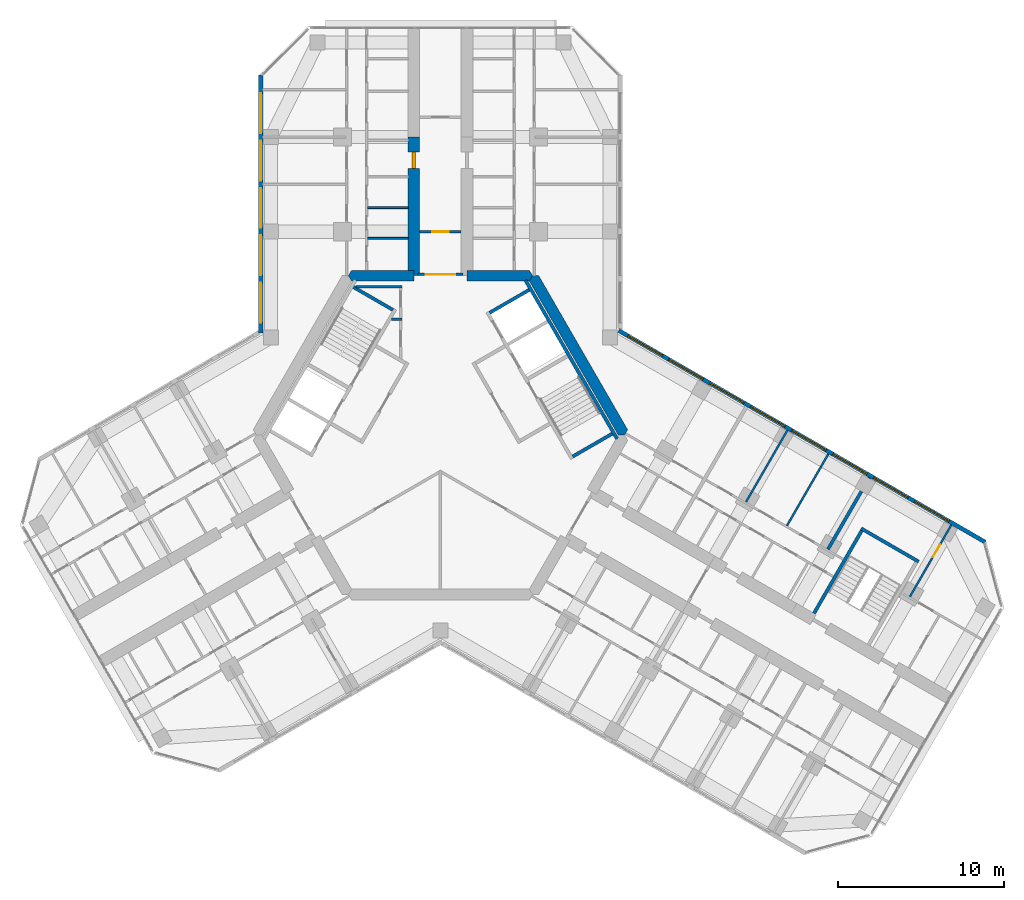
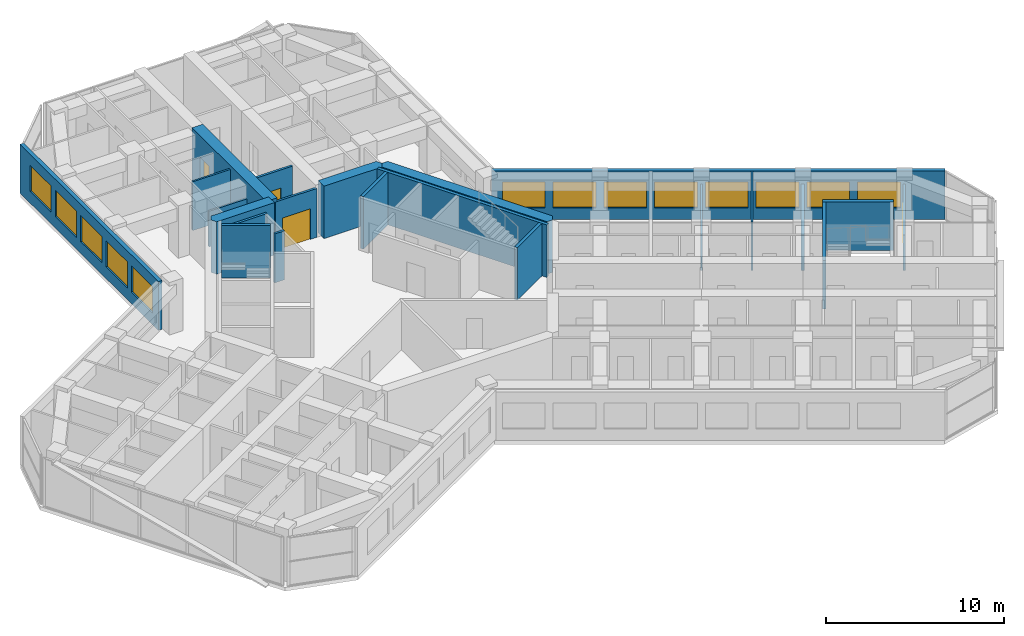
# One storey, part 13 of 16: 22 walls, 13 windows, 4 doors, 17 openings.
"""IFC4 building model written with IfcOpenShell, lengths in metres."""

from ifc_helpers import new_model, si_unit, direction, frame, frame_2d, origin, place, context, subcontext, project, spatial, polyline, rectangle, outline, extrude, material, layer, layer_set, type_object, element, fill, save


model = new_model("IFC4")

# Units and contexts
model_context = context("Model", 3, precision=1e-05, world=origin(), true_north=direction((0.0, 1.0)))
body_context = subcontext(model_context, "Body", "Model", "MODEL_VIEW")
ifc_project = project(units=[si_unit("LENGTHUNIT", "METRE"), si_unit("AREAUNIT", "SQUARE_METRE"), si_unit("VOLUMEUNIT", "CUBIC_METRE"), si_unit("PLANEANGLEUNIT", "RADIAN"), si_unit("MASSUNIT", "GRAM", prefix="KILO")], contexts=[model_context])

# Site, building, storey
site_placement = place(None, origin())
site = spatial("IfcSite", under=ifc_project, at=site_placement, CompositionType="ELEMENT")
building_placement = place(site_placement, origin())
building = spatial("IfcBuilding", under=site, at=building_placement, Name="Kosmar Iwan School Tower", CompositionType="ELEMENT")
storey_placement = place(building_placement, frame((0.0, 0.0, 197.39990234375)))
storey = spatial("IfcBuildingStorey", under=building, at=storey_placement, Name="L49", CompositionType="ELEMENT", Elevation=197.39990234375)

# Walls
ifc_material_1 = material(Name="Gypsum board on steel studs, fire-rated", Category="steel")
ifc_layer_1 = layer(ifc_material_1, 0.14990234375)
ifc_layer_set_1 = layer_set([ifc_layer_1], Name="Core room partition 150")
wall_type_1 = type_object("IfcWallType", Name="Core room partition 150", PredefinedType="PARTITIONING", material=ifc_layer_set_1)
wall_1_placement = place(storey_placement, frame((-2.324951171875, 6.985107421875, 0.0), z_axis=(0.0, 0.0, 1.0), x_axis=(-1.0, 0.0, 0.0)))
element("IfcWall", 1, at=wall_1_placement, inside=storey, type_object=wall_type_1, Name="Core room partition L49-CW2", PredefinedType="PARTITIONING", context=body_context, shape_type="SweptSolid", body=[
    extrude(rectangle(XDim=0.623779296875, YDim=0.14990234375, at=frame_2d((0.31201171875, 0.0))), origin(), (0.0, 0.0, 1.0), 3.35009765625),
])
wall_2_placement = place(storey_placement, frame((-5.089599609375, 8.93994140625, 0.0), z_axis=(0.0, 0.0, 1.0), x_axis=(1.0, 0.0, 0.0)))
element("IfcWall", 2, at=wall_2_placement, inside=storey, type_object=wall_type_1, Name="Core room partition L49-CW3", PredefinedType="PARTITIONING", context=body_context, shape_type="SweptSolid", body=[
    extrude(rectangle(XDim=2.7646484375, YDim=0.14990234375, at=frame_2d((1.38232421875, 0.0))), origin(), (0.0, 0.0, 1.0), 3.35009765625),
])
ifc_material_2 = material(Name="Concrete C50/60", Category="concrete")
ifc_layer_2 = layer(ifc_material_2, 0.64990234375)
ifc_layer_set_2 = layer_set([ifc_layer_2], Name="Core wall 650")
wall_type_2 = type_object("IfcWallType", Name="Core wall 650", PredefinedType="SHEAR", material=ifc_layer_set_2)
wall_3_placement = place(storey_placement, origin())
element("IfcWall", 3, at=wall_3_placement, inside=storey, type_object=wall_type_2, Name="Core wall F030", PredefinedType="SHEAR", context=body_context, shape_type="SweptSolid", body=[
    extrude(outline(polyline([(10.7099609375, 0.0), (11.085205078125, 0.0), (11.272705078125, 0.324951171875), (5.917724609375, 9.60009765625), (5.54248046875, 9.60009765625), (5.35498046875, 9.27490234375), (10.7099609375, 0.0)])), origin(), (0.0, 0.0, 1.0), 3.60009765625),
])
wall_4_placement = place(storey_placement, origin())
element("IfcWall", 4, at=wall_4_placement, inside=storey, type_object=wall_type_2, Name="Core wall F090a", PredefinedType="SHEAR", context=body_context, shape_type="SweptSolid", body=[
    extrude(outline(polyline([(1.60009765625, 9.27490234375), (5.35498046875, 9.27490234375), (5.54248046875, 9.60009765625), (5.35498046875, 9.925048828125), (1.60009765625, 9.925048828125), (1.60009765625, 9.27490234375)])), origin(), (0.0, 0.0, 1.0), 3.60009765625),
])
wall_5_placement = place(storey_placement, origin())
element("IfcWall", 5, at=wall_5_placement, inside=storey, type_object=wall_type_2, Name="Core wall F090b", PredefinedType="SHEAR", context=body_context, shape_type="SweptSolid", body=[
    extrude(outline(polyline([(-5.35498046875, 9.27490234375), (-1.60009765625, 9.27490234375), (-1.60009765625, 9.925048828125), (-5.35498046875, 9.925048828125), (-5.54248046875, 9.60009765625), (-5.35498046875, 9.27490234375)])), origin(), (0.0, 0.0, 1.0), 3.60009765625),
])

# Wall, opening, door
ifc_material_3 = material(Name="Concrete C50/60", Category="concrete")
ifc_layer_3 = layer(ifc_material_3, 0.699951171875)
ifc_layer_set_3 = layer_set([ifc_layer_3], Name="Corridor buttress wall 700")
wall_type_3 = type_object("IfcWallType", Name="Corridor buttress wall 700", PredefinedType="SHEAR", material=ifc_layer_set_3)
wall_6_placement = place(storey_placement, frame((-1.60009765625, 9.60009765625, 0.0), z_axis=(0.0, 0.0, 1.0), x_axis=(0.0, 1.0, 0.0)))
wall_6 = element("IfcWall", 6, at=wall_6_placement, inside=storey, type_object=wall_type_3, Name="Corridor wall AL", PredefinedType="SHEAR", context=body_context, shape_type="SweptSolid", body=[
    extrude(rectangle(XDim=8.349853515625, YDim=0.699951171875, at=frame_2d((4.1748046875, 0.0))), origin(), (0.0, 0.0, 1.0), 3.60009765625),
])
opening_1_placement = place(wall_6_placement, frame((6.449951171875, 0.0, 0.0)))
opening_1 = element("IfcOpeningElement", 7, at=opening_1_placement, cuts=wall_6, Name="Opening D1", PredefinedType="OPENING", context=body_context, shape_type="SweptSolid", body=[
    extrude(rectangle(XDim=1.0, YDim=2.10009765625, at=frame_2d((0.5, 1.050048828125))), frame((0.0, 0.362060546875, 0.0), z_axis=(0.0, -1.0, 0.0), x_axis=(1.0, 0.0, 0.0)), (0.0, 0.0, 1.0), 0.723876953125),
])
ifc_material_4 = material(Name="Timber fire door in steel frame", Category="steel")
door_type_1 = type_object("IfcDoorType", Name="Flat entrance door 1000x2100", OperationType="SINGLE_SWING_LEFT", PredefinedType="DOOR", material=ifc_material_4)
door_1_placement = place(opening_1_placement, origin())
door_1 = element("IfcDoor", 8, at=door_1_placement, inside=storey, type_object=door_type_1, Name="Flat L49-AL1 entrance door", OperationType="SINGLE_SWING_LEFT", OverallHeight=2.10009765625, OverallWidth=1.0, PredefinedType="DOOR", context=body_context, shape_type="SweptSolid", body=[
    extrude(rectangle(XDim=1.0, YDim=2.10009765625, at=frame_2d((0.5, 1.050048828125))), frame((0.0, 0.10009765625, 0.0), z_axis=(0.0, -1.0, 0.0), x_axis=(1.0, 0.0, 0.0)), (0.0, 0.0, 1.0), 0.199951171875),
])
fill(opening_1, door_1)

ifc_material_5 = material(Name="Gypsum board on steel studs, fire-rated", Category="steel")
ifc_layer_4 = layer(ifc_material_5, 0.14990234375)
ifc_layer_set_4 = layer_set([ifc_layer_4], Name="Corridor end wall 150")
wall_type_4 = type_object("IfcWallType", Name="Corridor end wall 150", PredefinedType="PARTITIONING", material=ifc_layer_set_4)
wall_7_placement = place(storey_placement, frame((1.25, 12.25, 0.0), z_axis=(0.0, 0.0, 1.0), x_axis=(-1.0, 0.0, 0.0)))
wall_7 = element("IfcWall", 9, at=wall_7_placement, inside=storey, type_object=wall_type_4, Name="Partition L49-A-HW", PredefinedType="PARTITIONING", context=body_context, shape_type="SweptSolid", body=[
    extrude(rectangle(XDim=2.5, YDim=0.14990234375, at=frame_2d((1.25, 0.0))), origin(), (0.0, 0.0, 1.0), 3.35009765625),
])
opening_2_placement = place(wall_7_placement, frame((0.75, 0.0, 0.0)))
opening_2 = element("IfcOpeningElement", 10, at=opening_2_placement, cuts=wall_7, Name="Opening D13", PredefinedType="OPENING", context=body_context, shape_type="SweptSolid", body=[
    extrude(rectangle(XDim=1.0, YDim=2.10009765625, at=frame_2d((0.5, 1.050048828125))), frame((0.0, 0.0869140625, 0.0), z_axis=(0.0, -1.0, 0.0), x_axis=(1.0, 0.0, 0.0)), (0.0, 0.0, 1.0), 0.173828125),
])
ifc_material_6 = material(Name="Timber fire door with vision panel", Category="wood")
door_type_2 = type_object("IfcDoorType", Name="Corridor end door 1000x2100", OperationType="SINGLE_SWING_LEFT", PredefinedType="DOOR", material=ifc_material_6)
door_2_placement = place(opening_2_placement, origin())
door_2 = element("IfcDoor", 11, at=door_2_placement, inside=storey, type_object=door_type_2, Name="Entrance door L49-A", OperationType="SINGLE_SWING_RIGHT", OverallHeight=2.10009765625, OverallWidth=1.0, PredefinedType="DOOR", context=body_context, shape_type="SweptSolid", body=[
    extrude(rectangle(XDim=1.0, YDim=2.10009765625, at=frame_2d((0.5, 1.050048828125))), frame((0.0, 0.02490234375, 0.0), z_axis=(0.0, -1.0, 0.0), x_axis=(1.0, 0.0, 0.0)), (0.0, 0.0, 1.0), 0.050048828125),
])
fill(opening_2, door_2)

ifc_material_7 = material(Name="Steel framed glazed screen", Category="steel")
ifc_layer_5 = layer(ifc_material_7, 0.14990234375)
ifc_layer_set_5 = layer_set([ifc_layer_5], Name="Corridor screen wall 150")
wall_type_5 = type_object("IfcWallType", Name="Corridor screen wall 150", PredefinedType="PARTITIONING", material=ifc_layer_set_5)
wall_8_placement = place(storey_placement, frame((1.35009765625, 9.675048828125, 0.0), z_axis=(0.0, 0.0, 1.0), x_axis=(-1.0, 0.0, 0.0)))
wall_8 = element("IfcWall", 12, at=wall_8_placement, inside=storey, type_object=wall_type_5, Name="Corridor screen A L49", PredefinedType="PARTITIONING", context=body_context, shape_type="SweptSolid", body=[
    extrude(rectangle(XDim=2.7001953125, YDim=0.14990234375, at=frame_2d((1.35009765625, 0.0))), origin(), (0.0, 0.0, 1.0), 3.35009765625),
])
opening_3_placement = place(wall_8_placement, frame((0.449951171875, 0.0, 0.0)))
opening_3 = element("IfcOpeningElement", 13, at=opening_3_placement, cuts=wall_8, Name="Opening D9", PredefinedType="OPENING", context=body_context, shape_type="SweptSolid", body=[
    extrude(rectangle(XDim=1.800048828125, YDim=2.10009765625, at=frame_2d((0.89990234375, 1.050048828125))), frame((0.0, 0.0869140625, 0.0), z_axis=(0.0, -1.0, 0.0), x_axis=(1.0, 0.0, 0.0)), (0.0, 0.0, 1.0), 0.173828125),
])
ifc_material_8 = material(Name="Steel framed glazed smoke door", Category="steel")
door_type_3 = type_object("IfcDoorType", Name="Corridor smoke door pair 1800x2100", OperationType="DOUBLE_DOOR_DOUBLE_SWING", PredefinedType="DOOR", material=ifc_material_8)
door_3_placement = place(opening_3_placement, origin())
door_3 = element("IfcDoor", 14, at=door_3_placement, inside=storey, type_object=door_type_3, Name="Corridor doors A L49", OperationType="DOUBLE_DOOR_DOUBLE_SWING", OverallHeight=2.10009765625, OverallWidth=1.800048828125, PredefinedType="DOOR", context=body_context, shape_type="SweptSolid", body=[
    extrude(rectangle(XDim=1.800048828125, YDim=2.10009765625, at=frame_2d((0.89990234375, 1.050048828125))), frame((0.0, 0.02490234375, 0.0), z_axis=(0.0, -1.0, 0.0), x_axis=(1.0, 0.0, 0.0)), (0.0, 0.0, 1.0), 0.050048828125),
])
fill(opening_3, door_3)

# Walls
ifc_material_9 = material(Name="Gypsum board on steel studs", Category="steel")
ifc_layer_6 = layer(ifc_material_9, 0.1201171875)
ifc_layer_set_6 = layer_set([ifc_layer_6], Name="Dwelling partition 120")
wall_type_6 = type_object("IfcWallType", Name="Dwelling partition 120", PredefinedType="PARTITIONING", material=ifc_layer_set_6)
wall_9_placement = place(storey_placement, frame((-1.949951171875, 11.85009765625, 0.0), z_axis=(0.0, 0.0, 1.0), x_axis=(-1.0, 0.0, 0.0)))
element("IfcWall", 15, at=wall_9_placement, inside=storey, type_object=wall_type_6, Name="Partition L49-AL1-Y1", PredefinedType="PARTITIONING", context=body_context, shape_type="SweptSolid", body=[
    extrude(rectangle(XDim=2.43994140625, YDim=0.1201171875, at=frame_2d((1.219970703125, 0.0))), origin(), (0.0, 0.0, 1.0), 2.4501953125),
])
wall_10_placement = place(storey_placement, frame((-1.949951171875, 13.699951171875, 0.0), z_axis=(0.0, 0.0, 1.0), x_axis=(-1.0, 0.0, 0.0)))
element("IfcWall", 16, at=wall_10_placement, inside=storey, type_object=wall_type_6, Name="Partition L49-AL1-Y2", PredefinedType="PARTITIONING", context=body_context, shape_type="SweptSolid", body=[
    extrude(rectangle(XDim=2.43994140625, YDim=0.1201171875, at=frame_2d((1.219970703125, 0.0))), origin(), (0.0, 0.0, 1.0), 3.35009765625),
])
wall_11_placement = place(storey_placement, frame((18.400146484375, -4.030029296875, 0.0), z_axis=(0.0, 0.0, 1.0), x_axis=(0.500011847778, 0.866018563358, 0.0)))
element("IfcWall", 17, at=wall_11_placement, inside=storey, type_object=wall_type_6, Name="Partition L49-CL2-X1", PredefinedType="PARTITIONING", context=body_context, shape_type="SweptSolid", body=[
    extrude(rectangle(XDim=4.990234375, YDim=0.1201171875, at=frame_2d((2.4951171875, 0.0))), origin(), (0.0, 0.0, 1.0), 2.4501953125),
])
wall_12_placement = place(storey_placement, frame((20.868408203125, -5.455078125, 0.0), z_axis=(0.0, 0.0, 1.0), x_axis=(0.499975153383, 0.86603974851, 0.0)))
element("IfcWall", 18, at=wall_12_placement, inside=storey, type_object=wall_type_6, Name="Partition L49-CL2-X2", PredefinedType="PARTITIONING", context=body_context, shape_type="SweptSolid", body=[
    extrude(rectangle(XDim=4.989990234375, YDim=0.1201171875, at=frame_2d((2.4951171875, 0.0))), origin(), (0.0, 0.0, 1.0), 3.35009765625),
])

# Wall, opening, door
wall_13_placement = place(storey_placement, frame((28.27294921875, -9.72998046875, 0.0), z_axis=(0.0, 0.0, 1.0), x_axis=(0.499975153383, 0.86603974851, 0.0)))
wall_13 = element("IfcWall", 19, at=wall_13_placement, inside=storey, type_object=wall_type_6, Name="Partition L49-CL3-TX", PredefinedType="PARTITIONING", context=body_context, shape_type="SweptSolid", body=[
    extrude(rectangle(XDim=4.989990234375, YDim=0.1201171875, at=frame_2d((2.4951171875, 0.0))), origin(), (0.0, 0.0, 1.0), 2.4501953125),
])
opening_4_placement = place(wall_13_placement, frame((2.739990234375, 0.0, 0.0)))
opening_4 = element("IfcOpeningElement", 20, at=opening_4_placement, cuts=wall_13, Name="Opening D2", PredefinedType="OPENING", context=body_context, shape_type="SweptSolid", body=[
    extrude(rectangle(XDim=0.89990234375, YDim=2.10009765625, at=frame_2d((0.449951171875, 1.050048828125))), frame((0.0, 0.072021484375, 0.0), z_axis=(0.0, -1.0, 0.0), x_axis=(1.0, 0.0, 0.0)), (0.0, 0.0, 1.0), 0.14404296875),
])
ifc_material_10 = material(Name="Timber door in timber frame", Category="wood")
door_type_4 = type_object("IfcDoorType", Name="Internal door 900x2100", OperationType="SINGLE_SWING_LEFT", PredefinedType="DOOR", material=ifc_material_10)
door_4_placement = place(opening_4_placement, origin())
door_4 = element("IfcDoor", 21, at=door_4_placement, inside=storey, type_object=door_type_4, Name="Bedroom 1 door L49-CL3-T1", OperationType="SINGLE_SWING_RIGHT", OverallHeight=2.10009765625, OverallWidth=0.89990234375, PredefinedType="DOOR", context=body_context, shape_type="SweptSolid", body=[
    extrude(rectangle(XDim=0.89990234375, YDim=2.10009765625, at=frame_2d((0.449951171875, 1.050048828125))), frame((0.0, 0.02490234375, 0.0), z_axis=(0.0, -1.0, 0.0), x_axis=(1.0, 0.0, 0.0)), (0.0, 0.0, 1.0), 0.050048828125),
])
fill(opening_4, door_4)

# Walls
ifc_material_11 = material(Name="Concrete C35/45", Category="concrete")
ifc_layer_7 = layer(ifc_material_11, 0.199951171875)
ifc_layer_set_7 = layer_set([ifc_layer_7], Name="Escape stair wall 200")
wall_type_7 = type_object("IfcWallType", Name="Escape stair wall 200", PredefinedType="SHEAR", material=ifc_layer_set_7)
wall_14_placement = place(storey_placement, frame((22.49560546875, -10.736328125, 0.0), z_axis=(0.0, 0.0, 1.0), x_axis=(0.500013701029, 0.866017493347, 0.0)))
element("IfcWall", 22, at=wall_14_placement, inside=storey, type_object=wall_type_7, Name="Stair WS3 wall", PredefinedType="SHEAR", context=body_context, shape_type="SweptSolid", body=[
    extrude(rectangle(XDim=5.949951171875, YDim=0.199951171875, at=frame_2d((2.97509765625, 0.0))), origin(), (0.0, 0.0, 1.0), 3.330078125),
])
wall_15_placement = place(storey_placement, frame((25.334228515625, -5.6201171875, 0.0), z_axis=(0.0, 0.0, 1.0), x_axis=(0.866026010844, -0.49999894854, 0.0)))
element("IfcWall", 23, at=wall_15_placement, inside=storey, type_object=wall_type_7, Name="Stair WS3 wall", PredefinedType="SHEAR", context=body_context, shape_type="SweptSolid", body=[
    extrude(rectangle(XDim=4.0, YDim=0.199951171875, at=frame_2d((2.0, 0.0))), origin(), (0.0, 0.0, 1.0), 3.330078125),
])

# Wall, openings, windows
ifc_material_12 = material(Name="Black aluminium rainscreen on insulated framing", Category="aluminium")
ifc_layer_8 = layer(ifc_material_12, 0.25)
ifc_layer_set_8 = layer_set([ifc_layer_8], Name="External wall rainscreen 250")
wall_type_8 = type_object("IfcWallType", Name="External wall rainscreen 250", PredefinedType="SOLIDWALL", material=ifc_layer_set_8)
wall_16_placement = place(storey_placement, frame((10.73681640625, 6.30078125, 0.0), z_axis=(0.0, 0.0, 1.0), x_axis=(0.866026390279, -0.499998291337, 0.0)))
wall_16 = element("IfcWall", 24, at=wall_16_placement, inside=storey, type_object=wall_type_8, Name="External wall CL L49", PredefinedType="SOLIDWALL", context=body_context, shape_type="SweptSolid", body=[
    extrude(rectangle(XDim=25.4873046875, YDim=0.25, at=frame_2d((12.74365234375, 0.0))), origin(), (0.0, 0.0, 1.0), 3.35009765625),
])
opening_5_placement = place(wall_16_placement, frame((0.626953125, 0.0, 0.800048828125)))
opening_5 = element("IfcOpeningElement", 25, at=opening_5_placement, cuts=wall_16, Name="Opening W5", PredefinedType="OPENING", context=body_context, shape_type="SweptSolid", body=[
    extrude(rectangle(XDim=2.39990234375, YDim=1.800048828125, at=frame_2d((1.199951171875, 0.89990234375))), frame((0.0, 0.136962890625, 0.0), z_axis=(0.0, -1.0, 0.0), x_axis=(1.0, 0.0, 0.0)), (0.0, 0.0, 1.0), 0.27392578125),
])
opening_6_placement = place(wall_16_placement, frame((3.47705078125, 0.0, 0.800048828125)))
opening_6 = element("IfcOpeningElement", 26, at=opening_6_placement, cuts=wall_16, Name="Opening W5", PredefinedType="OPENING", context=body_context, shape_type="SweptSolid", body=[
    extrude(rectangle(XDim=2.39990234375, YDim=1.800048828125, at=frame_2d((1.199951171875, 0.89990234375))), frame((0.0, 0.136962890625, 0.0), z_axis=(0.0, -1.0, 0.0), x_axis=(1.0, 0.0, 0.0)), (0.0, 0.0, 1.0), 0.27392578125),
])
opening_7_placement = place(wall_16_placement, frame((6.326904296875, 0.0, 0.800048828125)))
opening_7 = element("IfcOpeningElement", 27, at=opening_7_placement, cuts=wall_16, Name="Opening W5", PredefinedType="OPENING", context=body_context, shape_type="SweptSolid", body=[
    extrude(rectangle(XDim=2.39990234375, YDim=1.800048828125, at=frame_2d((1.199951171875, 0.89990234375))), frame((0.0, 0.136962890625, 0.0), z_axis=(0.0, -1.0, 0.0), x_axis=(1.0, 0.0, 0.0)), (0.0, 0.0, 1.0), 0.27392578125),
])
opening_8_placement = place(wall_16_placement, frame((9.177001953125, 0.0, 0.800048828125)))
opening_8 = element("IfcOpeningElement", 28, at=opening_8_placement, cuts=wall_16, Name="Opening W5", PredefinedType="OPENING", context=body_context, shape_type="SweptSolid", body=[
    extrude(rectangle(XDim=2.39990234375, YDim=1.800048828125, at=frame_2d((1.199951171875, 0.89990234375))), frame((0.0, 0.136962890625, 0.0), z_axis=(0.0, -1.0, 0.0), x_axis=(1.0, 0.0, 0.0)), (0.0, 0.0, 1.0), 0.27392578125),
])
opening_9_placement = place(wall_16_placement, frame((12.027099609375, 0.0, 0.800048828125)))
opening_9 = element("IfcOpeningElement", 29, at=opening_9_placement, cuts=wall_16, Name="Opening W5", PredefinedType="OPENING", context=body_context, shape_type="SweptSolid", body=[
    extrude(rectangle(XDim=2.39990234375, YDim=1.800048828125, at=frame_2d((1.199951171875, 0.89990234375))), frame((0.0, 0.136962890625, 0.0), z_axis=(0.0, -1.0, 0.0), x_axis=(1.0, 0.0, 0.0)), (0.0, 0.0, 1.0), 0.27392578125),
])
opening_10_placement = place(wall_16_placement, frame((14.876953125, 0.0, 0.800048828125)))
opening_10 = element("IfcOpeningElement", 30, at=opening_10_placement, cuts=wall_16, Name="Opening W5", PredefinedType="OPENING", context=body_context, shape_type="SweptSolid", body=[
    extrude(rectangle(XDim=2.39990234375, YDim=1.800048828125, at=frame_2d((1.199951171875, 0.89990234375))), frame((0.0, 0.136962890625, 0.0), z_axis=(0.0, -1.0, 0.0), x_axis=(1.0, 0.0, 0.0)), (0.0, 0.0, 1.0), 0.27392578125),
])
opening_11_placement = place(wall_16_placement, frame((17.72705078125, 0.0, 0.800048828125)))
opening_11 = element("IfcOpeningElement", 31, at=opening_11_placement, cuts=wall_16, Name="Opening W5", PredefinedType="OPENING", context=body_context, shape_type="SweptSolid", body=[
    extrude(rectangle(XDim=2.39990234375, YDim=1.800048828125, at=frame_2d((1.199951171875, 0.89990234375))), frame((0.0, 0.136962890625, 0.0), z_axis=(0.0, -1.0, 0.0), x_axis=(1.0, 0.0, 0.0)), (0.0, 0.0, 1.0), 0.27392578125),
])
opening_12_placement = place(wall_16_placement, frame((20.576904296875, 0.0, 0.800048828125)))
opening_12 = element("IfcOpeningElement", 32, at=opening_12_placement, cuts=wall_16, Name="Opening W5", PredefinedType="OPENING", context=body_context, shape_type="SweptSolid", body=[
    extrude(rectangle(XDim=2.39990234375, YDim=1.800048828125, at=frame_2d((1.199951171875, 0.89990234375))), frame((0.0, 0.136962890625, 0.0), z_axis=(0.0, -1.0, 0.0), x_axis=(1.0, 0.0, 0.0)), (0.0, 0.0, 1.0), 0.27392578125),
])
ifc_material_13 = material(Name="Black aluminium frame with dark triple glazing", Category="aluminium")
window_type = type_object("IfcWindowType", Name="Window 2400x1800", PartitioningType="SINGLE_PANEL", PredefinedType="WINDOW", material=ifc_material_13)
window_1_placement = place(opening_5_placement, origin())
window_1 = element("IfcWindow", 33, at=window_1_placement, inside=storey, type_object=window_type, Name="Window CL L49 -1", OverallHeight=1.800048828125, OverallWidth=2.39990234375, PartitioningType="SINGLE_PANEL", PredefinedType="WINDOW", context=body_context, shape_type="SweptSolid", body=[
    extrude(rectangle(XDim=2.39990234375, YDim=1.800048828125, at=frame_2d((1.199951171875, 0.89990234375))), frame((0.0, 0.030029296875, 0.0), z_axis=(0.0, -1.0, 0.0), x_axis=(1.0, 0.0, 0.0)), (0.0, 0.0, 1.0), 0.06005859375),
])
fill(opening_5, window_1)
window_2_placement = place(opening_6_placement, origin())
window_2 = element("IfcWindow", 34, at=window_2_placement, inside=storey, type_object=window_type, Name="Window CL L49 0", OverallHeight=1.800048828125, OverallWidth=2.39990234375, PartitioningType="SINGLE_PANEL", PredefinedType="WINDOW", context=body_context, shape_type="SweptSolid", body=[
    extrude(rectangle(XDim=2.39990234375, YDim=1.800048828125, at=frame_2d((1.199951171875, 0.89990234375))), frame((0.0, 0.030029296875, 0.0), z_axis=(0.0, -1.0, 0.0), x_axis=(1.0, 0.0, 0.0)), (0.0, 0.0, 1.0), 0.06005859375),
])
fill(opening_6, window_2)
window_3_placement = place(opening_7_placement, origin())
window_3 = element("IfcWindow", 35, at=window_3_placement, inside=storey, type_object=window_type, Name="Window CL L49 1", OverallHeight=1.800048828125, OverallWidth=2.39990234375, PartitioningType="SINGLE_PANEL", PredefinedType="WINDOW", context=body_context, shape_type="SweptSolid", body=[
    extrude(rectangle(XDim=2.39990234375, YDim=1.800048828125, at=frame_2d((1.199951171875, 0.89990234375))), frame((0.0, 0.030029296875, 0.0), z_axis=(0.0, -1.0, 0.0), x_axis=(1.0, 0.0, 0.0)), (0.0, 0.0, 1.0), 0.06005859375),
])
fill(opening_7, window_3)
window_4_placement = place(opening_8_placement, origin())
window_4 = element("IfcWindow", 36, at=window_4_placement, inside=storey, type_object=window_type, Name="Window CL L49 2", OverallHeight=1.800048828125, OverallWidth=2.39990234375, PartitioningType="SINGLE_PANEL", PredefinedType="WINDOW", context=body_context, shape_type="SweptSolid", body=[
    extrude(rectangle(XDim=2.39990234375, YDim=1.800048828125, at=frame_2d((1.199951171875, 0.89990234375))), frame((0.0, 0.030029296875, 0.0), z_axis=(0.0, -1.0, 0.0), x_axis=(1.0, 0.0, 0.0)), (0.0, 0.0, 1.0), 0.06005859375),
])
fill(opening_8, window_4)
window_5_placement = place(opening_9_placement, origin())
window_5 = element("IfcWindow", 37, at=window_5_placement, inside=storey, type_object=window_type, Name="Window CL L49 3", OverallHeight=1.800048828125, OverallWidth=2.39990234375, PartitioningType="SINGLE_PANEL", PredefinedType="WINDOW", context=body_context, shape_type="SweptSolid", body=[
    extrude(rectangle(XDim=2.39990234375, YDim=1.800048828125, at=frame_2d((1.199951171875, 0.89990234375))), frame((0.0, 0.030029296875, 0.0), z_axis=(0.0, -1.0, 0.0), x_axis=(1.0, 0.0, 0.0)), (0.0, 0.0, 1.0), 0.06005859375),
])
fill(opening_9, window_5)
window_6_placement = place(opening_10_placement, origin())
window_6 = element("IfcWindow", 38, at=window_6_placement, inside=storey, type_object=window_type, Name="Window CL L49 4", OverallHeight=1.800048828125, OverallWidth=2.39990234375, PartitioningType="SINGLE_PANEL", PredefinedType="WINDOW", context=body_context, shape_type="SweptSolid", body=[
    extrude(rectangle(XDim=2.39990234375, YDim=1.800048828125, at=frame_2d((1.199951171875, 0.89990234375))), frame((0.0, 0.030029296875, 0.0), z_axis=(0.0, -1.0, 0.0), x_axis=(1.0, 0.0, 0.0)), (0.0, 0.0, 1.0), 0.06005859375),
])
fill(opening_10, window_6)
window_7_placement = place(opening_11_placement, origin())
window_7 = element("IfcWindow", 39, at=window_7_placement, inside=storey, type_object=window_type, Name="Window CL L49 5", OverallHeight=1.800048828125, OverallWidth=2.39990234375, PartitioningType="SINGLE_PANEL", PredefinedType="WINDOW", context=body_context, shape_type="SweptSolid", body=[
    extrude(rectangle(XDim=2.39990234375, YDim=1.800048828125, at=frame_2d((1.199951171875, 0.89990234375))), frame((0.0, 0.030029296875, 0.0), z_axis=(0.0, -1.0, 0.0), x_axis=(1.0, 0.0, 0.0)), (0.0, 0.0, 1.0), 0.06005859375),
])
fill(opening_11, window_7)
window_8_placement = place(opening_12_placement, origin())
window_8 = element("IfcWindow", 40, at=window_8_placement, inside=storey, type_object=window_type, Name="Window CL L49 6", OverallHeight=1.800048828125, OverallWidth=2.39990234375, PartitioningType="SINGLE_PANEL", PredefinedType="WINDOW", context=body_context, shape_type="SweptSolid", body=[
    extrude(rectangle(XDim=2.39990234375, YDim=1.800048828125, at=frame_2d((1.199951171875, 0.89990234375))), frame((0.0, 0.030029296875, 0.0), z_axis=(0.0, -1.0, 0.0), x_axis=(1.0, 0.0, 0.0)), (0.0, 0.0, 1.0), 0.06005859375),
])
fill(opening_12, window_8)

wall_17_placement = place(storey_placement, frame((-10.824951171875, 6.14794921875, 0.0), z_axis=(0.0, 0.0, 1.0), x_axis=(0.0, 1.0, 0.0)))
wall_17 = element("IfcWall", 41, at=wall_17_placement, inside=storey, type_object=wall_type_8, Name="External wall AL L49", PredefinedType="SOLIDWALL", context=body_context, shape_type="SweptSolid", body=[
    extrude(rectangle(XDim=15.537353515625, YDim=0.25, at=frame_2d((7.7685546875, 0.0))), origin(), (0.0, 0.0, 1.0), 3.35009765625),
])
opening_13_placement = place(wall_17_placement, frame((0.626953125, 0.0, 0.800048828125)))
opening_13 = element("IfcOpeningElement", 42, at=opening_13_placement, cuts=wall_17, Name="Opening W5", PredefinedType="OPENING", context=body_context, shape_type="SweptSolid", body=[
    extrude(rectangle(XDim=2.39990234375, YDim=1.800048828125, at=frame_2d((1.199951171875, 0.89990234375))), frame((0.0, 0.136962890625, 0.0), z_axis=(0.0, -1.0, 0.0), x_axis=(1.0, 0.0, 0.0)), (0.0, 0.0, 1.0), 0.27392578125),
])
opening_14_placement = place(wall_17_placement, frame((3.47705078125, 0.0, 0.800048828125)))
opening_14 = element("IfcOpeningElement", 43, at=opening_14_placement, cuts=wall_17, Name="Opening W5", PredefinedType="OPENING", context=body_context, shape_type="SweptSolid", body=[
    extrude(rectangle(XDim=2.39990234375, YDim=1.800048828125, at=frame_2d((1.199951171875, 0.89990234375))), frame((0.0, 0.136962890625, 0.0), z_axis=(0.0, -1.0, 0.0), x_axis=(1.0, 0.0, 0.0)), (0.0, 0.0, 1.0), 0.27392578125),
])
opening_15_placement = place(wall_17_placement, frame((6.326904296875, 0.0, 0.800048828125)))
opening_15 = element("IfcOpeningElement", 44, at=opening_15_placement, cuts=wall_17, Name="Opening W5", PredefinedType="OPENING", context=body_context, shape_type="SweptSolid", body=[
    extrude(rectangle(XDim=2.39990234375, YDim=1.800048828125, at=frame_2d((1.199951171875, 0.89990234375))), frame((0.0, 0.136962890625, 0.0), z_axis=(0.0, -1.0, 0.0), x_axis=(1.0, 0.0, 0.0)), (0.0, 0.0, 1.0), 0.27392578125),
])
opening_16_placement = place(wall_17_placement, frame((9.177001953125, 0.0, 0.800048828125)))
opening_16 = element("IfcOpeningElement", 45, at=opening_16_placement, cuts=wall_17, Name="Opening W5", PredefinedType="OPENING", context=body_context, shape_type="SweptSolid", body=[
    extrude(rectangle(XDim=2.39990234375, YDim=1.800048828125, at=frame_2d((1.199951171875, 0.89990234375))), frame((0.0, 0.136962890625, 0.0), z_axis=(0.0, -1.0, 0.0), x_axis=(1.0, 0.0, 0.0)), (0.0, 0.0, 1.0), 0.27392578125),
])
opening_17_placement = place(wall_17_placement, frame((12.027099609375, 0.0, 0.800048828125)))
opening_17 = element("IfcOpeningElement", 46, at=opening_17_placement, cuts=wall_17, Name="Opening W5", PredefinedType="OPENING", context=body_context, shape_type="SweptSolid", body=[
    extrude(rectangle(XDim=2.39990234375, YDim=1.800048828125, at=frame_2d((1.199951171875, 0.89990234375))), frame((0.0, 0.136962890625, 0.0), z_axis=(0.0, -1.0, 0.0), x_axis=(1.0, 0.0, 0.0)), (0.0, 0.0, 1.0), 0.27392578125),
])
window_9_placement = place(opening_13_placement, origin())
window_9 = element("IfcWindow", 47, at=window_9_placement, inside=storey, type_object=window_type, Name="Window AL L49 -1", OverallHeight=1.800048828125, OverallWidth=2.39990234375, PartitioningType="SINGLE_PANEL", PredefinedType="WINDOW", context=body_context, shape_type="SweptSolid", body=[
    extrude(rectangle(XDim=2.39990234375, YDim=1.800048828125, at=frame_2d((1.199951171875, 0.89990234375))), frame((0.0, 0.030029296875, 0.0), z_axis=(0.0, -1.0, 0.0), x_axis=(1.0, 0.0, 0.0)), (0.0, 0.0, 1.0), 0.06005859375),
])
fill(opening_13, window_9)
window_10_placement = place(opening_14_placement, origin())
window_10 = element("IfcWindow", 48, at=window_10_placement, inside=storey, type_object=window_type, Name="Window AL L49 0", OverallHeight=1.800048828125, OverallWidth=2.39990234375, PartitioningType="SINGLE_PANEL", PredefinedType="WINDOW", context=body_context, shape_type="SweptSolid", body=[
    extrude(rectangle(XDim=2.39990234375, YDim=1.800048828125, at=frame_2d((1.199951171875, 0.89990234375))), frame((0.0, 0.030029296875, 0.0), z_axis=(0.0, -1.0, 0.0), x_axis=(1.0, 0.0, 0.0)), (0.0, 0.0, 1.0), 0.06005859375),
])
fill(opening_14, window_10)
window_11_placement = place(opening_15_placement, origin())
window_11 = element("IfcWindow", 49, at=window_11_placement, inside=storey, type_object=window_type, Name="Window AL L49 1", OverallHeight=1.800048828125, OverallWidth=2.39990234375, PartitioningType="SINGLE_PANEL", PredefinedType="WINDOW", context=body_context, shape_type="SweptSolid", body=[
    extrude(rectangle(XDim=2.39990234375, YDim=1.800048828125, at=frame_2d((1.199951171875, 0.89990234375))), frame((0.0, 0.030029296875, 0.0), z_axis=(0.0, -1.0, 0.0), x_axis=(1.0, 0.0, 0.0)), (0.0, 0.0, 1.0), 0.06005859375),
])
fill(opening_15, window_11)
window_12_placement = place(opening_16_placement, origin())
window_12 = element("IfcWindow", 50, at=window_12_placement, inside=storey, type_object=window_type, Name="Window AL L49 2", OverallHeight=1.800048828125, OverallWidth=2.39990234375, PartitioningType="SINGLE_PANEL", PredefinedType="WINDOW", context=body_context, shape_type="SweptSolid", body=[
    extrude(rectangle(XDim=2.39990234375, YDim=1.800048828125, at=frame_2d((1.199951171875, 0.89990234375))), frame((0.0, 0.030029296875, 0.0), z_axis=(0.0, -1.0, 0.0), x_axis=(1.0, 0.0, 0.0)), (0.0, 0.0, 1.0), 0.06005859375),
])
fill(opening_16, window_12)
window_13_placement = place(opening_17_placement, origin())
window_13 = element("IfcWindow", 51, at=window_13_placement, inside=storey, type_object=window_type, Name="Window AL L49 3", OverallHeight=1.800048828125, OverallWidth=2.39990234375, PartitioningType="SINGLE_PANEL", PredefinedType="WINDOW", context=body_context, shape_type="SweptSolid", body=[
    extrude(rectangle(XDim=2.39990234375, YDim=1.800048828125, at=frame_2d((1.199951171875, 0.89990234375))), frame((0.0, 0.030029296875, 0.0), z_axis=(0.0, -1.0, 0.0), x_axis=(1.0, 0.0, 0.0)), (0.0, 0.0, 1.0), 0.06005859375),
])
fill(opening_17, window_13)

# Walls
ifc_material_14 = material(Name="Concrete C50/60", Category="concrete")
ifc_layer_9 = layer(ifc_material_14, 0.199951171875)
ifc_layer_set_9 = layer_set([ifc_layer_9], Name="Lift shaft wall 200")
wall_type_9 = type_object("IfcWallType", Name="Lift shaft wall 200", PredefinedType="SHEAR", material=ifc_layer_set_9)
wall_18_placement = place(storey_placement, frame((10.6376953125, -0.22509765625, 0.0), z_axis=(0.0, 0.0, 1.0), x_axis=(-0.49999650507, 0.866027421574, 0.0)))
element("IfcWall", 52, at=wall_18_placement, inside=storey, type_object=wall_type_9, Name="Lift and stair back wall AC", PredefinedType="SHEAR", context=body_context, shape_type="SweptSolid", body=[
    extrude(rectangle(XDim=11.02734375, YDim=0.199951171875, at=frame_2d((5.513671875, 0.0))), origin(), (0.0, 0.0, 1.0), 3.60009765625),
])
wall_19_placement = place(storey_placement, frame((2.962646484375, 7.368408203125, 0.0), z_axis=(0.0, 0.0, 1.0), x_axis=(0.866027397988, 0.499996545922, 0.0)))
element("IfcWall", 53, at=wall_19_placement, inside=storey, type_object=wall_type_9, Name="Lift shaft wall AC 2", PredefinedType="SHEAR", context=body_context, shape_type="SweptSolid", body=[
    extrude(rectangle(XDim=2.75, YDim=0.199951171875, at=frame_2d((1.375, 0.0))), origin(), (0.0, 0.0, 1.0), 3.60009765625),
])
ifc_material_15 = material(Name="Concrete block masonry", Category="masonry")
ifc_layer_10 = layer(ifc_material_15, 0.199951171875)
ifc_layer_set_10 = layer_set([ifc_layer_10], Name="Party wall 200")
wall_type_10 = type_object("IfcWallType", Name="Party wall 200", PredefinedType="PARTITIONING", material=ifc_layer_set_10)
wall_20_placement = place(storey_placement, frame((23.33642578125, -6.8798828125, 0.0), z_axis=(0.0, 0.0, 1.0), x_axis=(0.500033033937, 0.866006330792, 0.0)))
element("IfcWall", 54, at=wall_20_placement, inside=storey, type_object=wall_type_10, Name="Partition L49-CL3-TB", PredefinedType="PARTITIONING", context=body_context, shape_type="SweptSolid", body=[
    extrude(rectangle(XDim=4.989990234375, YDim=0.199951171875, at=frame_2d((2.4951171875, 0.0))), origin(), (0.0, 0.0, 1.0), 2.4501953125),
])
ifc_material_16 = material(Name="Concrete C50/60", Category="concrete")
ifc_layer_11 = layer(ifc_material_16, 0.199951171875)
ifc_layer_set_11 = layer_set([ifc_layer_11], Name="Stair enclosure wall 200")
wall_type_11 = type_object("IfcWallType", Name="Stair enclosure wall 200", PredefinedType="SHEAR", material=ifc_layer_set_11)
for number, where, z_axis, x_axis, name in (
    (55, (-2.862548828125, 7.541748046875, 0.0), (0.0, 0.0, 1.0), (-0.866027397988, 0.499996545922, 0.0), "Stair ST2 wall"),
    (56, (7.962646484375, -1.291748046875, 0.0), (0.0, 0.0, 1.0), (0.866027397988, 0.499996545922, 0.0), "Stair ST1 wall"),
):
    element("IfcWall", number, at=place(storey_placement, frame(where, z_axis=z_axis, x_axis=x_axis)), inside=storey, type_object=wall_type_11, Name=name, PredefinedType="SHEAR", context=body_context, shape_type="SweptSolid", body=[
        extrude(rectangle(XDim=2.75, YDim=0.199951171875, at=frame_2d((1.375, 0.0))), origin(), (0.0, 0.0, 1.0), 3.60009765625),
    ])

save(model, "model.ifc")
